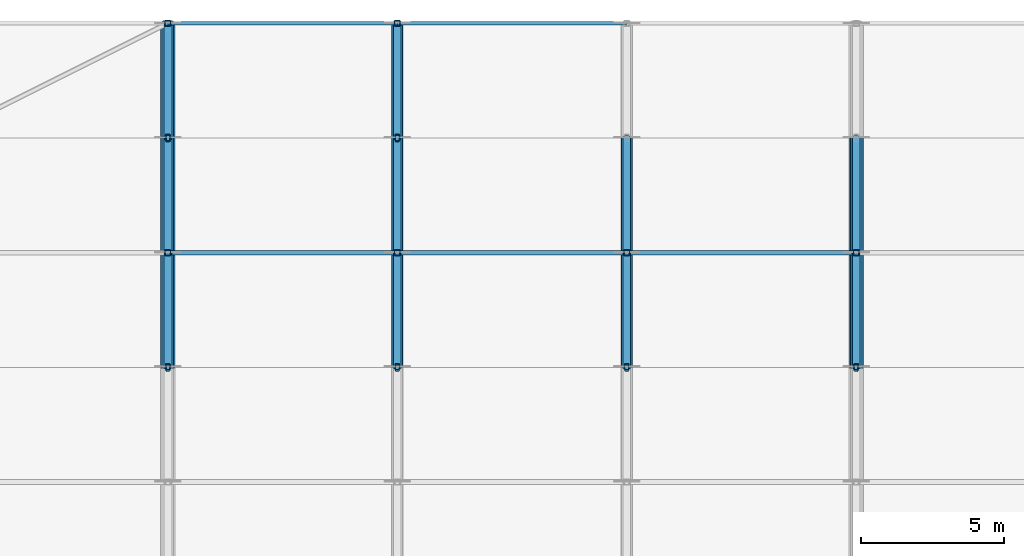
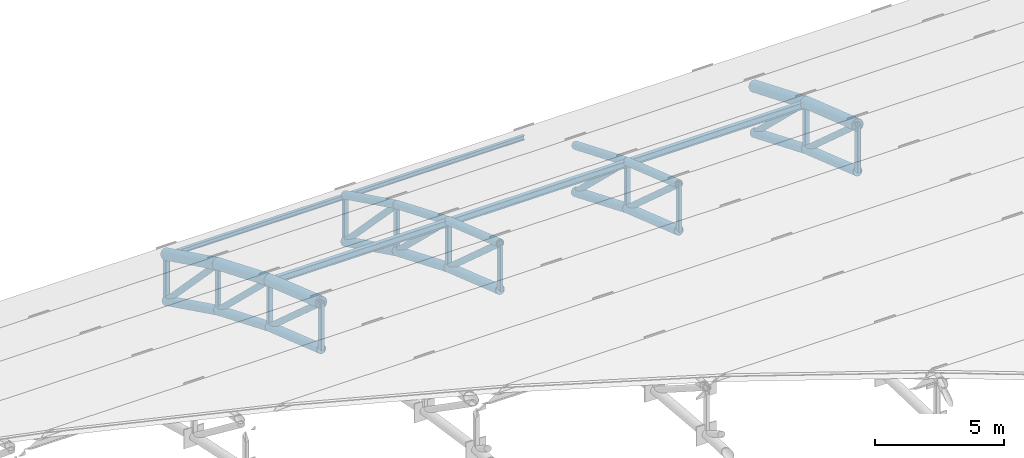
# One storey, part 37 of 98: 47 members.
"""IFC4 building model written with IfcOpenShell, lengths in metres."""

from ifc_helpers import new_model, si_unit, direction, frame, origin, origin_2d, place, context, subcontext, project, spatial, hollow_rectangle, hollow_circle, i_section, extrude, material, material_profile, profile_set, type_object, element, save


model = new_model("IFC4")

# Units and contexts
model_context = context("Model", 3, precision=1e-05, world=origin(), true_north=direction((0.0, 1.0)))
body_context = subcontext(model_context, "Body", "Model", "MODEL_VIEW")
ifc_project = project(units=[si_unit("LENGTHUNIT", "METRE"), si_unit("AREAUNIT", "SQUARE_METRE"), si_unit("VOLUMEUNIT", "CUBIC_METRE"), si_unit("PLANEANGLEUNIT", "RADIAN"), si_unit("MASSUNIT", "GRAM", prefix="KILO")], contexts=[model_context])

# Site, building, storey
site_placement = place(None, origin())
site = spatial("IfcSite", under=ifc_project, at=site_placement, CompositionType="ELEMENT")
building_placement = place(site_placement, origin())
building = spatial("IfcBuilding", under=site, at=building_placement, Name="Tlacozan Convention Centre", CompositionType="ELEMENT")
storey_placement = place(building_placement, frame((0.0, 0.0, 25.800048828125)))
storey = spatial("IfcBuildingStorey", under=building, at=storey_placement, Name="Roof", CompositionType="ELEMENT", Elevation=25.800048828125)

# Members
ifc_material_1 = material(Name="Steel ASTM A500 Grade C", Category="steel")
ifc_material_profile_1 = material_profile(ifc_material_1, hollow_circle(Radius=0.203125, WallThickness=0.015869140625, at=origin_2d()), Name="OC 406.4x15.9")
ifc_profile_set_1 = profile_set([ifc_material_profile_1], Name="Steel ASTM A500 Grade C")
member_type_1 = type_object("IfcMemberType", Name="Arch Bottom Chord OC 406.4x15.9", PredefinedType="CHORD", material=ifc_profile_set_1)
member_1_placement = place(storey_placement, frame((96.0, 114.0, -7.807861328125), z_axis=(0.0, 0.946164915813, -0.323684958077), x_axis=(-1.0, 0.0, 0.0)))
element("IfcMember", 1, at=member_1_placement, inside=storey, type_object=member_type_1, Name="V2A Roof Truss 13 Bottom Chord 14", PredefinedType="CHORD", context=body_context, shape_type="SweptSolid", body=[
    extrude(hollow_circle(Radius=0.203125, WallThickness=0.015869140625, at=origin_2d()), origin(), (0.0, 0.0, 1.0), 4.2275390625),
])
member_2_placement = place(storey_placement, frame((96.0, 118.0, -9.17626953125), z_axis=(0.0, 0.923948802258, -0.382516157575), x_axis=(-1.0, 0.0, 0.0)))
element("IfcMember", 2, at=member_2_placement, inside=storey, type_object=member_type_1, Name="V2A Roof Truss 13 Bottom Chord 15", PredefinedType="CHORD", context=body_context, shape_type="SweptSolid", body=[
    extrude(hollow_circle(Radius=0.203125, WallThickness=0.015869140625, at=origin_2d()), origin(), (0.0, 0.0, 1.0), 4.329345703125),
])
member_3_placement = place(storey_placement, frame((96.0, 122.0, -10.832275390625), z_axis=(0.0, 0.897300183135, -0.441420866459), x_axis=(-1.0, 0.0, 0.0)))
element("IfcMember", 3, at=member_3_placement, inside=storey, type_object=member_type_1, Name="V2A Roof Truss 13 Bottom Chord 16", PredefinedType="CHORD", context=body_context, shape_type="SweptSolid", body=[
    extrude(hollow_circle(Radius=0.203125, WallThickness=0.015869140625, at=origin_2d()), origin(), (0.0, 0.0, 1.0), 4.457763671875),
])
member_4_placement = place(storey_placement, frame((104.0, 114.0, -7.807861328125), z_axis=(0.0, 0.946164915813, -0.323684958077), x_axis=(-1.0, 0.0, 0.0)))
element("IfcMember", 4, at=member_4_placement, inside=storey, type_object=member_type_1, Name="V2A Roof Truss 14 Bottom Chord 14", PredefinedType="CHORD", context=body_context, shape_type="SweptSolid", body=[
    extrude(hollow_circle(Radius=0.203125, WallThickness=0.015869140625, at=origin_2d()), origin(), (0.0, 0.0, 1.0), 4.2275390625),
])
member_5_placement = place(storey_placement, frame((104.0, 118.0, -9.17626953125), z_axis=(0.0, 0.923948802258, -0.382516157575), x_axis=(-1.0, 0.0, 0.0)))
element("IfcMember", 5, at=member_5_placement, inside=storey, type_object=member_type_1, Name="V2A Roof Truss 14 Bottom Chord 15", PredefinedType="CHORD", context=body_context, shape_type="SweptSolid", body=[
    extrude(hollow_circle(Radius=0.203125, WallThickness=0.015869140625, at=origin_2d()), origin(), (0.0, 0.0, 1.0), 4.329345703125),
])
member_6_placement = place(storey_placement, frame((104.0, 122.0, -10.832275390625), z_axis=(0.0, 0.897300183135, -0.441420866459), x_axis=(-1.0, 0.0, 0.0)))
element("IfcMember", 6, at=member_6_placement, inside=storey, type_object=member_type_1, Name="V2A Roof Truss 14 Bottom Chord 16", PredefinedType="CHORD", context=body_context, shape_type="SweptSolid", body=[
    extrude(hollow_circle(Radius=0.203125, WallThickness=0.015869140625, at=origin_2d()), origin(), (0.0, 0.0, 1.0), 4.457763671875),
])
member_7_placement = place(storey_placement, frame((112.0, 114.0, -7.807861328125), z_axis=(0.0, 0.946164915813, -0.323684958077), x_axis=(-1.0, 0.0, 0.0)))
element("IfcMember", 7, at=member_7_placement, inside=storey, type_object=member_type_1, Name="V2A Roof Truss 15 Bottom Chord 14", PredefinedType="CHORD", context=body_context, shape_type="SweptSolid", body=[
    extrude(hollow_circle(Radius=0.203125, WallThickness=0.015869140625, at=origin_2d()), origin(), (0.0, 0.0, 1.0), 4.2275390625),
])
member_8_placement = place(storey_placement, frame((112.0, 118.0, -9.17626953125), z_axis=(0.0, 0.923948802258, -0.382516157575), x_axis=(-1.0, 0.0, 0.0)))
element("IfcMember", 8, at=member_8_placement, inside=storey, type_object=member_type_1, Name="V2A Roof Truss 15 Bottom Chord 15", PredefinedType="CHORD", context=body_context, shape_type="SweptSolid", body=[
    extrude(hollow_circle(Radius=0.203125, WallThickness=0.015869140625, at=origin_2d()), origin(), (0.0, 0.0, 1.0), 4.329345703125),
])
member_9_placement = place(storey_placement, frame((120.0, 114.0, -7.807861328125), z_axis=(0.0, 0.946164915813, -0.323684958077), x_axis=(-1.0, 0.0, 0.0)))
element("IfcMember", 9, at=member_9_placement, inside=storey, type_object=member_type_1, Name="V2A Roof Truss 16 Bottom Chord 14", PredefinedType="CHORD", context=body_context, shape_type="SweptSolid", body=[
    extrude(hollow_circle(Radius=0.203125, WallThickness=0.015869140625, at=origin_2d()), origin(), (0.0, 0.0, 1.0), 4.2275390625),
])
member_10_placement = place(storey_placement, frame((120.0, 118.0, -9.17626953125), z_axis=(0.0, 0.923948802258, -0.382516157575), x_axis=(-1.0, 0.0, 0.0)))
element("IfcMember", 10, at=member_10_placement, inside=storey, type_object=member_type_1, Name="V2A Roof Truss 16 Bottom Chord 15", PredefinedType="CHORD", context=body_context, shape_type="SweptSolid", body=[
    extrude(hollow_circle(Radius=0.203125, WallThickness=0.015869140625, at=origin_2d()), origin(), (0.0, 0.0, 1.0), 4.329345703125),
])
ifc_material_profile_2 = material_profile(ifc_material_1, hollow_circle(Radius=0.25390625, WallThickness=0.01904296875, at=origin_2d()), Name="OC 508.0x19.1")
ifc_profile_set_2 = profile_set([ifc_material_profile_2], Name="Steel ASTM A500 Grade C")
member_type_2 = type_object("IfcMemberType", Name="Arch Top Chord OC 508x19.1", PredefinedType="CHORD", material=ifc_profile_set_2)
member_11_placement = place(storey_placement, frame((96.0, 114.0, -5.607666015625), z_axis=(0.0, 0.946164915813, -0.323684958077), x_axis=(-1.0, 0.0, 0.0)))
element("IfcMember", 11, at=member_11_placement, inside=storey, type_object=member_type_2, Name="V2A Roof Truss 13 Top Chord 14", PredefinedType="CHORD", context=body_context, shape_type="SweptSolid", body=[
    extrude(hollow_circle(Radius=0.25390625, WallThickness=0.01904296875, at=origin_2d()), origin(), (0.0, 0.0, 1.0), 4.2275390625),
])
member_12_placement = place(storey_placement, frame((96.0, 118.0, -6.97607421875), z_axis=(0.0, 0.923928870591, -0.382564297979), x_axis=(-1.0, 0.0, 0.0)))
element("IfcMember", 12, at=member_12_placement, inside=storey, type_object=member_type_2, Name="V2A Roof Truss 13 Top Chord 15", PredefinedType="CHORD", context=body_context, shape_type="SweptSolid", body=[
    extrude(hollow_circle(Radius=0.25390625, WallThickness=0.01904296875, at=origin_2d()), origin(), (0.0, 0.0, 1.0), 4.329345703125),
])
member_13_placement = place(storey_placement, frame((96.0, 122.0, -8.63232421875), z_axis=(0.0, 0.897300183135, -0.441420866459), x_axis=(-1.0, 0.0, 0.0)))
element("IfcMember", 13, at=member_13_placement, inside=storey, type_object=member_type_2, Name="V2A Roof Truss 13 Top Chord 16", PredefinedType="CHORD", context=body_context, shape_type="SweptSolid", body=[
    extrude(hollow_circle(Radius=0.25390625, WallThickness=0.01904296875, at=origin_2d()), origin(), (0.0, 0.0, 1.0), 4.457763671875),
])
member_14_placement = place(storey_placement, frame((120.0, 114.0, -5.607666015625), z_axis=(0.0, 0.946164915813, -0.323684958077), x_axis=(-1.0, 0.0, 0.0)))
element("IfcMember", 14, at=member_14_placement, inside=storey, type_object=member_type_2, Name="V2A Roof Truss 16 Top Chord 14", PredefinedType="CHORD", context=body_context, shape_type="SweptSolid", body=[
    extrude(hollow_circle(Radius=0.25390625, WallThickness=0.01904296875, at=origin_2d()), origin(), (0.0, 0.0, 1.0), 4.2275390625),
])
member_15_placement = place(storey_placement, frame((120.0, 118.0, -6.97607421875), z_axis=(0.0, 0.923928870591, -0.382564297979), x_axis=(-1.0, 0.0, 0.0)))
element("IfcMember", 15, at=member_15_placement, inside=storey, type_object=member_type_2, Name="V2A Roof Truss 16 Top Chord 15", PredefinedType="CHORD", context=body_context, shape_type="SweptSolid", body=[
    extrude(hollow_circle(Radius=0.25390625, WallThickness=0.01904296875, at=origin_2d()), origin(), (0.0, 0.0, 1.0), 4.329345703125),
])
ifc_material_profile_3 = material_profile(ifc_material_1, hollow_circle(Radius=0.136474609375, WallThickness=0.0126953125, at=origin_2d()), Name="OC 273.1x12.7")
ifc_profile_set_3 = profile_set([ifc_material_profile_3], Name="Steel ASTM A500 Grade C")
member_type_3 = type_object("IfcMemberType", Name="Arch Web Diagonal OC 273.1x12.7", PredefinedType="BRACE", material=ifc_profile_set_3)
member_16_placement = place(storey_placement, frame((96.0, 114.0, -5.607666015625), z_axis=(0.0, 0.746199427712, -0.665722475272), x_axis=(-1.0, 0.0, 0.0)))
element("IfcMember", 16, at=member_16_placement, inside=storey, type_object=member_type_3, Name="V2A Roof Truss 13 Web Diagonal 14", PredefinedType="BRACE", context=body_context, shape_type="SweptSolid", body=[
    extrude(hollow_circle(Radius=0.136474609375, WallThickness=0.0126953125, at=origin_2d()), origin(), (0.0, 0.0, 1.0), 5.360595703125),
])
member_17_placement = place(storey_placement, frame((96.0, 118.0, -6.97607421875), z_axis=(0.0, 0.719928977367, -0.694047741547), x_axis=(-1.0, 0.0, 0.0)))
element("IfcMember", 17, at=member_17_placement, inside=storey, type_object=member_type_3, Name="V2A Roof Truss 13 Web Diagonal 15", PredefinedType="BRACE", context=body_context, shape_type="SweptSolid", body=[
    extrude(hollow_circle(Radius=0.136474609375, WallThickness=0.0126953125, at=origin_2d()), origin(), (0.0, 0.0, 1.0), 5.55615234375),
])
member_18_placement = place(storey_placement, frame((96.0, 122.0, -8.63232421875), z_axis=(0.0, 0.69244032859, -0.721475149497), x_axis=(-1.0, 0.0, 0.0)))
element("IfcMember", 18, at=member_18_placement, inside=storey, type_object=member_type_3, Name="V2A Roof Truss 13 Web Diagonal 16", PredefinedType="BRACE", context=body_context, shape_type="SweptSolid", body=[
    extrude(hollow_circle(Radius=0.136474609375, WallThickness=0.0126953125, at=origin_2d()), origin(), (0.0, 0.0, 1.0), 5.776611328125),
])
member_19_placement = place(storey_placement, frame((104.0, 114.0, -5.607666015625), z_axis=(0.0, 0.746199427712, -0.665722475272), x_axis=(-1.0, 0.0, 0.0)))
element("IfcMember", 19, at=member_19_placement, inside=storey, type_object=member_type_3, Name="V2A Roof Truss 14 Web Diagonal 14", PredefinedType="BRACE", context=body_context, shape_type="SweptSolid", body=[
    extrude(hollow_circle(Radius=0.136474609375, WallThickness=0.0126953125, at=origin_2d()), origin(), (0.0, 0.0, 1.0), 5.360595703125),
])
member_20_placement = place(storey_placement, frame((104.0, 118.0, -6.97607421875), z_axis=(0.0, 0.719928977367, -0.694047741547), x_axis=(-1.0, 0.0, 0.0)))
element("IfcMember", 20, at=member_20_placement, inside=storey, type_object=member_type_3, Name="V2A Roof Truss 14 Web Diagonal 15", PredefinedType="BRACE", context=body_context, shape_type="SweptSolid", body=[
    extrude(hollow_circle(Radius=0.136474609375, WallThickness=0.0126953125, at=origin_2d()), origin(), (0.0, 0.0, 1.0), 5.55615234375),
])
member_21_placement = place(storey_placement, frame((104.0, 122.0, -8.63232421875), z_axis=(0.0, 0.69244032859, -0.721475149497), x_axis=(-1.0, 0.0, 0.0)))
element("IfcMember", 21, at=member_21_placement, inside=storey, type_object=member_type_3, Name="V2A Roof Truss 14 Web Diagonal 16", PredefinedType="BRACE", context=body_context, shape_type="SweptSolid", body=[
    extrude(hollow_circle(Radius=0.136474609375, WallThickness=0.0126953125, at=origin_2d()), origin(), (0.0, 0.0, 1.0), 5.776611328125),
])
member_22_placement = place(storey_placement, frame((112.0, 114.0, -5.607666015625), z_axis=(0.0, 0.746199427712, -0.665722475272), x_axis=(-1.0, 0.0, 0.0)))
element("IfcMember", 22, at=member_22_placement, inside=storey, type_object=member_type_3, Name="V2A Roof Truss 15 Web Diagonal 14", PredefinedType="BRACE", context=body_context, shape_type="SweptSolid", body=[
    extrude(hollow_circle(Radius=0.136474609375, WallThickness=0.0126953125, at=origin_2d()), origin(), (0.0, 0.0, 1.0), 5.360595703125),
])
member_23_placement = place(storey_placement, frame((112.0, 118.0, -6.97607421875), z_axis=(0.0, 0.719928977367, -0.694047741547), x_axis=(-1.0, 0.0, 0.0)))
element("IfcMember", 23, at=member_23_placement, inside=storey, type_object=member_type_3, Name="V2A Roof Truss 15 Web Diagonal 15", PredefinedType="BRACE", context=body_context, shape_type="SweptSolid", body=[
    extrude(hollow_circle(Radius=0.136474609375, WallThickness=0.0126953125, at=origin_2d()), origin(), (0.0, 0.0, 1.0), 5.55615234375),
])
member_24_placement = place(storey_placement, frame((120.0, 114.0, -5.607666015625), z_axis=(0.0, 0.746199427712, -0.665722475272), x_axis=(-1.0, 0.0, 0.0)))
element("IfcMember", 24, at=member_24_placement, inside=storey, type_object=member_type_3, Name="V2A Roof Truss 16 Web Diagonal 14", PredefinedType="BRACE", context=body_context, shape_type="SweptSolid", body=[
    extrude(hollow_circle(Radius=0.136474609375, WallThickness=0.0126953125, at=origin_2d()), origin(), (0.0, 0.0, 1.0), 5.360595703125),
])
member_25_placement = place(storey_placement, frame((120.0, 118.0, -6.97607421875), z_axis=(0.0, 0.719928977367, -0.694047741547), x_axis=(-1.0, 0.0, 0.0)))
element("IfcMember", 25, at=member_25_placement, inside=storey, type_object=member_type_3, Name="V2A Roof Truss 16 Web Diagonal 15", PredefinedType="BRACE", context=body_context, shape_type="SweptSolid", body=[
    extrude(hollow_circle(Radius=0.136474609375, WallThickness=0.0126953125, at=origin_2d()), origin(), (0.0, 0.0, 1.0), 5.55615234375),
])
ifc_material_profile_4 = material_profile(ifc_material_1, hollow_rectangle(XDim=0.203125, YDim=0.203125, WallThickness=0.0126953125, InnerFilletRadius=0.0126953125, OuterFilletRadius=0.02490234375, at=origin_2d()), Name="OR 203x203x12.7")
ifc_profile_set_4 = profile_set([ifc_material_profile_4], Name="Steel ASTM A500 Grade C")
member_type_4 = type_object("IfcMemberType", Name="Arch Web Strut OR 203x203x12.7", PredefinedType="STRUT", material=ifc_profile_set_4)
member_26_placement = place(storey_placement, frame((96.0, 118.0, -9.17626953125), z_axis=(0.0, 0.0, 1.0), x_axis=(1.0, 0.0, 0.0)))
element("IfcMember", 26, at=member_26_placement, inside=storey, type_object=member_type_4, Name="V2A Roof Truss 13 Vertical Strut 15", PredefinedType="STRUT", context=body_context, shape_type="SweptSolid", body=[
    extrude(hollow_rectangle(XDim=0.203125, YDim=0.203125, WallThickness=0.0126953125, InnerFilletRadius=0.0126953125, OuterFilletRadius=0.02490234375, at=origin_2d()), origin(), (0.0, 0.0, 1.0), 2.2001953125),
])
member_27_placement = place(storey_placement, frame((96.0, 126.0, -12.800048828125), z_axis=(0.0, 0.0, 1.0), x_axis=(1.0, 0.0, 0.0)))
element("IfcMember", 27, at=member_27_placement, inside=storey, type_object=member_type_4, Name="V2A Roof Truss 13 Vertical Strut 17", PredefinedType="STRUT", context=body_context, shape_type="SweptSolid", body=[
    extrude(hollow_rectangle(XDim=0.203125, YDim=0.203125, WallThickness=0.0126953125, InnerFilletRadius=0.0126953125, OuterFilletRadius=0.02490234375, at=origin_2d()), origin(), (0.0, 0.0, 1.0), 2.199951171875),
])
member_28_placement = place(storey_placement, frame((104.0, 118.0, -9.17626953125), z_axis=(0.0, 0.0, 1.0), x_axis=(1.0, 0.0, 0.0)))
element("IfcMember", 28, at=member_28_placement, inside=storey, type_object=member_type_4, Name="V2A Roof Truss 14 Vertical Strut 15", PredefinedType="STRUT", context=body_context, shape_type="SweptSolid", body=[
    extrude(hollow_rectangle(XDim=0.203125, YDim=0.203125, WallThickness=0.0126953125, InnerFilletRadius=0.0126953125, OuterFilletRadius=0.02490234375, at=origin_2d()), origin(), (0.0, 0.0, 1.0), 2.2001953125),
])
member_29_placement = place(storey_placement, frame((104.0, 126.0, -12.800048828125), z_axis=(0.0, 0.0, 1.0), x_axis=(1.0, 0.0, 0.0)))
element("IfcMember", 29, at=member_29_placement, inside=storey, type_object=member_type_4, Name="V2A Roof Truss 14 Vertical Strut 17", PredefinedType="STRUT", context=body_context, shape_type="SweptSolid", body=[
    extrude(hollow_rectangle(XDim=0.203125, YDim=0.203125, WallThickness=0.0126953125, InnerFilletRadius=0.0126953125, OuterFilletRadius=0.02490234375, at=origin_2d()), origin(), (0.0, 0.0, 1.0), 2.199951171875),
])
for number, where, z_axis, x_axis, name in (
    (30, (112.0, 118.0, -9.17626953125), (0.0, 0.0, 1.0), (1.0, 0.0, 0.0), "V2A Roof Truss 15 Vertical Strut 15"),
    (31, (120.0, 118.0, -9.17626953125), (0.0, 0.0, 1.0), (1.0, 0.0, 0.0), "V2A Roof Truss 16 Vertical Strut 15"),
):
    element("IfcMember", number, at=place(storey_placement, frame(where, z_axis=z_axis, x_axis=x_axis)), inside=storey, type_object=member_type_4, Name=name, PredefinedType="STRUT", context=body_context, shape_type="SweptSolid", body=[
        extrude(hollow_rectangle(XDim=0.203125, YDim=0.203125, WallThickness=0.0126953125, InnerFilletRadius=0.0126953125, OuterFilletRadius=0.02490234375, at=origin_2d()), origin(), (0.0, 0.0, 1.0), 2.2001953125),
    ])
ifc_material_2 = material(Name="Steel ASTM A992 Grade 50", Category="steel")
ifc_material_profile_5 = material_profile(ifc_material_2, i_section(OverallWidth=0.1669921875, OverallDepth=0.31689453125, WebThickness=0.007568359375, FlangeThickness=0.01318359375, FilletRadius=0.010009765625, at=origin_2d()), Name="IR 305x52.2")
ifc_profile_set_5 = profile_set([ifc_material_profile_5], Name="Steel ASTM A992 Grade 50")
member_type_5 = type_object("IfcMemberType", Name="Roof Purlin IR 305x52.2", PredefinedType="PURLIN", material=ifc_profile_set_5)
for number, where, z_axis, x_axis, name in (
    (32, (96.0, 118.0, -7.041259765625), (1.0, 0.0, 0.0), (0.0, 1.0, 0.0), "V2A Roof Truss Purlin 13.15"),
    (33, (104.0, 118.0, -7.041259765625), (1.0, 0.0, 0.0), (0.0, 1.0, 0.0), "V2A Roof Truss Purlin 14.15"),
    (34, (112.0, 118.0, -7.041259765625), (1.0, 0.0, 0.0), (0.0, 1.0, 0.0), "V2A Roof Truss Purlin 15.15"),
):
    element("IfcMember", number, at=place(storey_placement, frame(where, z_axis=z_axis, x_axis=x_axis)), inside=storey, type_object=member_type_5, Name=name, PredefinedType="PURLIN", context=body_context, shape_type="SweptSolid", body=[
        extrude(i_section(OverallWidth=0.1669921875, OverallDepth=0.31689453125, WebThickness=0.007568359375, FlangeThickness=0.01318359375, FilletRadius=0.010009765625, at=origin_2d()), origin(), (0.0, 0.0, 1.0), 8.0),
    ])
ifc_material_profile_6 = material_profile(ifc_material_1, hollow_circle(Radius=0.177734375, WallThickness=0.015869140625, at=origin_2d()), Name="OC 355.6x15.9")
ifc_profile_set_6 = profile_set([ifc_material_profile_6], Name="Steel ASTM A500 Grade C")
member_type_6 = type_object("IfcMemberType", Name="Secondary Arch Chord OC 355.6x15.9", PredefinedType="CHORD", material=ifc_profile_set_6)
member_30_placement = place(storey_placement, frame((104.0, 114.0, -5.607666015625), z_axis=(0.0, 0.946164915813, -0.323684958077), x_axis=(-1.0, 0.0, 0.0)))
element("IfcMember", 35, at=member_30_placement, inside=storey, type_object=member_type_6, Name="V2A Roof Truss 14 Top Chord 14", PredefinedType="CHORD", context=body_context, shape_type="SweptSolid", body=[
    extrude(hollow_circle(Radius=0.177734375, WallThickness=0.015869140625, at=origin_2d()), origin(), (0.0, 0.0, 1.0), 4.2275390625),
])
member_31_placement = place(storey_placement, frame((104.0, 118.0, -6.97607421875), z_axis=(0.0, 0.923928870591, -0.382564297979), x_axis=(-1.0, 0.0, 0.0)))
element("IfcMember", 36, at=member_31_placement, inside=storey, type_object=member_type_6, Name="V2A Roof Truss 14 Top Chord 15", PredefinedType="CHORD", context=body_context, shape_type="SweptSolid", body=[
    extrude(hollow_circle(Radius=0.177734375, WallThickness=0.015869140625, at=origin_2d()), origin(), (0.0, 0.0, 1.0), 4.329345703125),
])
member_32_placement = place(storey_placement, frame((104.0, 122.0, -8.63232421875), z_axis=(0.0, 0.897300183135, -0.441420866459), x_axis=(-1.0, 0.0, 0.0)))
element("IfcMember", 37, at=member_32_placement, inside=storey, type_object=member_type_6, Name="V2A Roof Truss 14 Top Chord 16", PredefinedType="CHORD", context=body_context, shape_type="SweptSolid", body=[
    extrude(hollow_circle(Radius=0.177734375, WallThickness=0.015869140625, at=origin_2d()), origin(), (0.0, 0.0, 1.0), 4.457763671875),
])
member_33_placement = place(storey_placement, frame((112.0, 114.0, -5.607666015625), z_axis=(0.0, 0.946164915813, -0.323684958077), x_axis=(-1.0, 0.0, 0.0)))
element("IfcMember", 38, at=member_33_placement, inside=storey, type_object=member_type_6, Name="V2A Roof Truss 15 Top Chord 14", PredefinedType="CHORD", context=body_context, shape_type="SweptSolid", body=[
    extrude(hollow_circle(Radius=0.177734375, WallThickness=0.015869140625, at=origin_2d()), origin(), (0.0, 0.0, 1.0), 4.2275390625),
])
member_34_placement = place(storey_placement, frame((112.0, 118.0, -6.97607421875), z_axis=(0.0, 0.923928870591, -0.382564297979), x_axis=(-1.0, 0.0, 0.0)))
element("IfcMember", 39, at=member_34_placement, inside=storey, type_object=member_type_6, Name="V2A Roof Truss 15 Top Chord 15", PredefinedType="CHORD", context=body_context, shape_type="SweptSolid", body=[
    extrude(hollow_circle(Radius=0.177734375, WallThickness=0.015869140625, at=origin_2d()), origin(), (0.0, 0.0, 1.0), 4.329345703125),
])
ifc_material_profile_7 = material_profile(ifc_material_2, i_section(OverallWidth=0.134033203125, OverallDepth=0.2099609375, WebThickness=0.00634765625, FlangeThickness=0.01025390625, FilletRadius=0.008056640625, at=origin_2d()), Name="IR 203x31.3")
ifc_profile_set_7 = profile_set([ifc_material_profile_7], Name="Steel ASTM A992 Grade 50")
member_type_7 = type_object("IfcMemberType", Name="Secondary Eave Purlin IR 203x31.3", PredefinedType="PURLIN", material=ifc_profile_set_7)
for number, where, z_axis, x_axis, name in (
    (40, (96.0, 126.0, -10.6650390625), (1.0, 0.0, 0.0), (0.0, 1.0, 0.0), "V2A Roof Truss Purlin 13.17"),
    (41, (104.0, 126.0, -10.6650390625), (1.0, 0.0, 0.0), (0.0, 1.0, 0.0), "V2A Roof Truss Purlin 14.17"),
):
    element("IfcMember", number, at=place(storey_placement, frame(where, z_axis=z_axis, x_axis=x_axis)), inside=storey, type_object=member_type_7, Name=name, PredefinedType="PURLIN", context=body_context, shape_type="SweptSolid", body=[
        extrude(i_section(OverallWidth=0.134033203125, OverallDepth=0.2099609375, WebThickness=0.00634765625, FlangeThickness=0.01025390625, FilletRadius=0.008056640625, at=origin_2d()), origin(), (0.0, 0.0, 1.0), 8.0),
    ])
ifc_material_profile_8 = material_profile(ifc_material_1, hollow_rectangle(XDim=0.15234375, YDim=0.25390625, WallThickness=0.0126953125, InnerFilletRadius=0.0126953125, OuterFilletRadius=0.02490234375, at=origin_2d()), Name="OR 254x152x12.7")
ifc_profile_set_8 = profile_set([ifc_material_profile_8], Name="Steel ASTM A500 Grade C")
member_type_8 = type_object("IfcMemberType", Name="Truss Secondary Strut OR 254x152x12.7", PredefinedType="STRUT", material=ifc_profile_set_8)
member_35_placement = place(storey_placement, frame((96.0, 114.0, -7.807861328125), z_axis=(0.0, 0.0, 1.0), x_axis=(1.0, 0.0, 0.0)))
element("IfcMember", 42, at=member_35_placement, inside=storey, type_object=member_type_8, Name="V2A Roof Truss 13 Vertical Strut 14", PredefinedType="STRUT", context=body_context, shape_type="SweptSolid", body=[
    extrude(hollow_rectangle(XDim=0.15234375, YDim=0.25390625, WallThickness=0.0126953125, InnerFilletRadius=0.0126953125, OuterFilletRadius=0.02490234375, at=origin_2d()), origin(), (0.0, 0.0, 1.0), 2.2001953125),
])
member_36_placement = place(storey_placement, frame((96.0, 122.0, -10.832275390625), z_axis=(0.0, 0.0, 1.0), x_axis=(1.0, 0.0, 0.0)))
element("IfcMember", 43, at=member_36_placement, inside=storey, type_object=member_type_8, Name="V2A Roof Truss 13 Vertical Strut 16", PredefinedType="STRUT", context=body_context, shape_type="SweptSolid", body=[
    extrude(hollow_rectangle(XDim=0.15234375, YDim=0.25390625, WallThickness=0.0126953125, InnerFilletRadius=0.0126953125, OuterFilletRadius=0.02490234375, at=origin_2d()), origin(), (0.0, 0.0, 1.0), 2.199951171875),
])
member_37_placement = place(storey_placement, frame((104.0, 114.0, -7.807861328125), z_axis=(0.0, 0.0, 1.0), x_axis=(1.0, 0.0, 0.0)))
element("IfcMember", 44, at=member_37_placement, inside=storey, type_object=member_type_8, Name="V2A Roof Truss 14 Vertical Strut 14", PredefinedType="STRUT", context=body_context, shape_type="SweptSolid", body=[
    extrude(hollow_rectangle(XDim=0.15234375, YDim=0.25390625, WallThickness=0.0126953125, InnerFilletRadius=0.0126953125, OuterFilletRadius=0.02490234375, at=origin_2d()), origin(), (0.0, 0.0, 1.0), 2.2001953125),
])
member_38_placement = place(storey_placement, frame((104.0, 122.0, -10.832275390625), z_axis=(0.0, 0.0, 1.0), x_axis=(1.0, 0.0, 0.0)))
element("IfcMember", 45, at=member_38_placement, inside=storey, type_object=member_type_8, Name="V2A Roof Truss 14 Vertical Strut 16", PredefinedType="STRUT", context=body_context, shape_type="SweptSolid", body=[
    extrude(hollow_rectangle(XDim=0.15234375, YDim=0.25390625, WallThickness=0.0126953125, InnerFilletRadius=0.0126953125, OuterFilletRadius=0.02490234375, at=origin_2d()), origin(), (0.0, 0.0, 1.0), 2.199951171875),
])
for number, where, z_axis, x_axis, name in (
    (46, (112.0, 114.0, -7.807861328125), (0.0, 0.0, 1.0), (1.0, 0.0, 0.0), "V2A Roof Truss 15 Vertical Strut 14"),
    (47, (120.0, 114.0, -7.807861328125), (0.0, 0.0, 1.0), (1.0, 0.0, 0.0), "V2A Roof Truss 16 Vertical Strut 14"),
):
    element("IfcMember", number, at=place(storey_placement, frame(where, z_axis=z_axis, x_axis=x_axis)), inside=storey, type_object=member_type_8, Name=name, PredefinedType="STRUT", context=body_context, shape_type="SweptSolid", body=[
        extrude(hollow_rectangle(XDim=0.15234375, YDim=0.25390625, WallThickness=0.0126953125, InnerFilletRadius=0.0126953125, OuterFilletRadius=0.02490234375, at=origin_2d()), origin(), (0.0, 0.0, 1.0), 2.2001953125),
    ])

save(model, "model.ifc")
